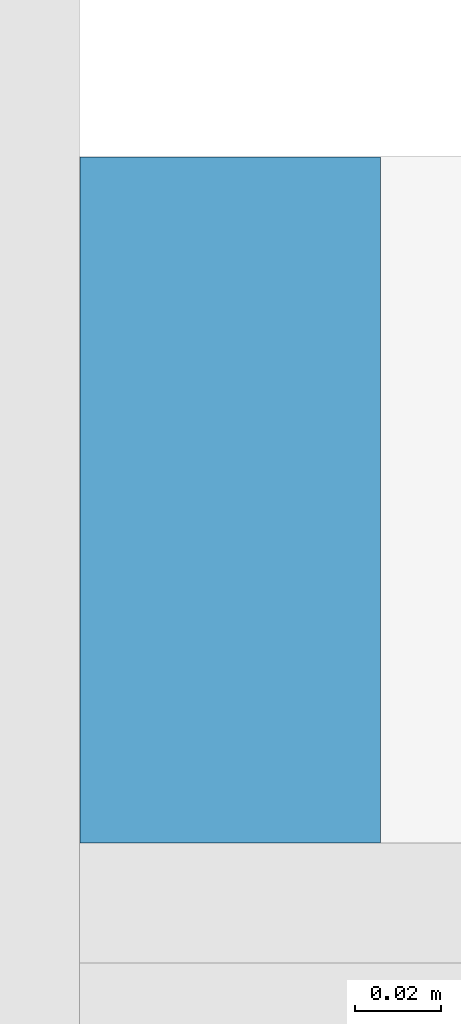
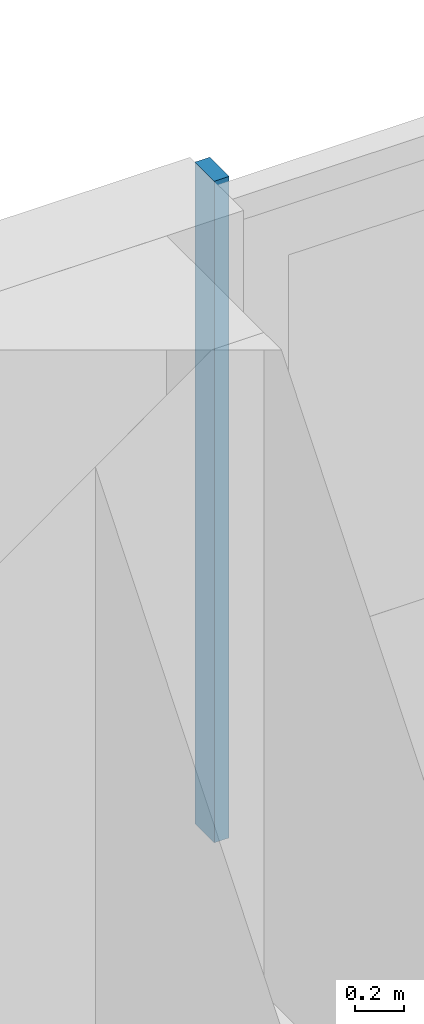
# One storey, part 10 of 30: 1 member, 1 element without a shape of its own.
"""IFC4 building model written with IfcOpenShell, lengths in metres."""

from ifc_helpers import new_model, si_unit, direction, frame, origin, origin_2d, place, context, subcontext, project, spatial, rectangle, extrude, material, material_profile, profile_set, type_object, element, aggregate, save


model = new_model("IFC4")

# Units and contexts
model_context = context("Model", 3, precision=1e-05, world=origin(), true_north=direction((0.0, 1.0)))
body_context = subcontext(model_context, "Body", "Model", "MODEL_VIEW")
ifc_project = project(units=[si_unit("LENGTHUNIT", "METRE"), si_unit("AREAUNIT", "SQUARE_METRE"), si_unit("VOLUMEUNIT", "CUBIC_METRE"), si_unit("PLANEANGLEUNIT", "RADIAN"), si_unit("MASSUNIT", "GRAM", prefix="KILO")], contexts=[model_context])

# Site, building, storey
site_placement = place(None, origin())
site = spatial("IfcSite", under=ifc_project, at=site_placement, CompositionType="ELEMENT")
building_placement = place(site_placement, origin())
building = spatial("IfcBuilding", under=site, at=building_placement, Name="Saffron Gate Tower", CompositionType="ELEMENT")
storey_placement = place(building_placement, frame((0.0, 0.0, 165.449951171875)))
storey = spatial("IfcBuildingStorey", under=building, at=storey_placement, Name="L40", CompositionType="ELEMENT", Elevation=165.449951171875)

# Curtain wall, member
ifc_material = material(Name="Aluminium, bronze anodised", Category="aluminium")
curtain_wall_type = type_object("IfcCurtainWallType", Name="CWS3 curtain wall rear facade", PredefinedType="NOTDEFINED", material=ifc_material)
curtain_wall_placement = place(storey_placement, origin())
curtain_wall = element("IfcCurtainWall", 1, at=curtain_wall_placement, inside=storey, type_object=curtain_wall_type, Name="CWS3 run 7", PredefinedType="NOTDEFINED")
ifc_material_profile = material_profile(ifc_material, rectangle(XDim=0.159912109375, YDim=0.070068359375, at=origin_2d()))
ifc_profile_set = profile_set([ifc_material_profile], Name="Aluminium, bronze anodised")
member_type = type_object("IfcMemberType", Name="CWS3 mullion 70x160", PredefinedType="MULLION", material=ifc_profile_set)
member_placement = place(storey_placement, frame((108.60009765625, 75.52001953125, 0.0), z_axis=(0.0, 0.0, 1.0), x_axis=(0.0, -1.0, 0.0)))
member = element("IfcMember", 2, at=member_placement, type_object=member_type, Name="CWS3 mullion 3", PredefinedType="MULLION", context=body_context, shape_type="SweptSolid", body=[
    extrude(rectangle(XDim=0.159912109375, YDim=0.070068359375, at=origin_2d()), origin(), (0.0, 0.0, 1.0), 3.320068359375),
])
aggregate(curtain_wall, [member])

save(model, "model.ifc")
